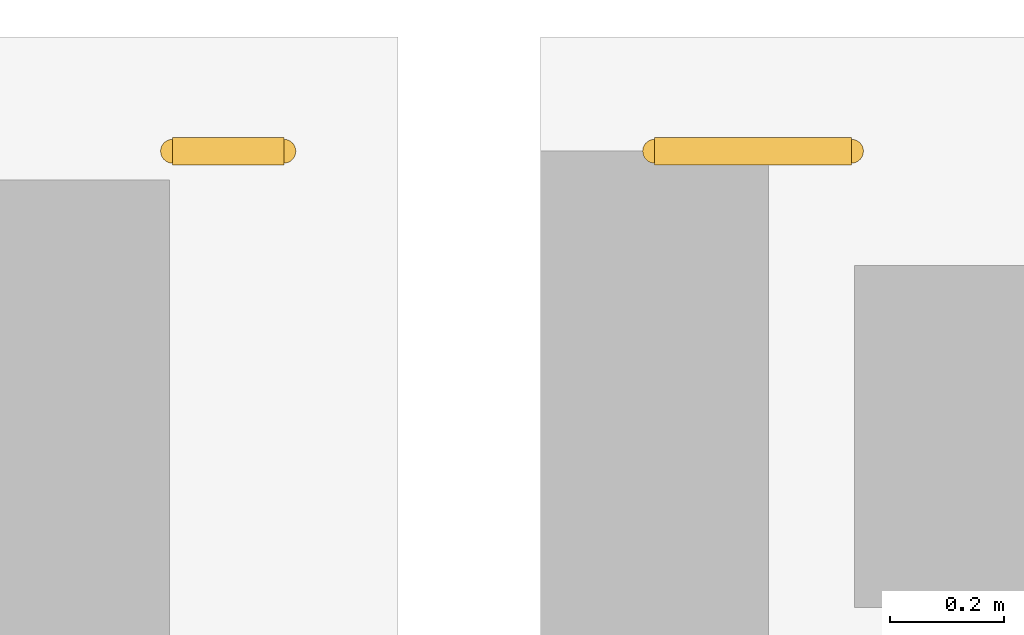
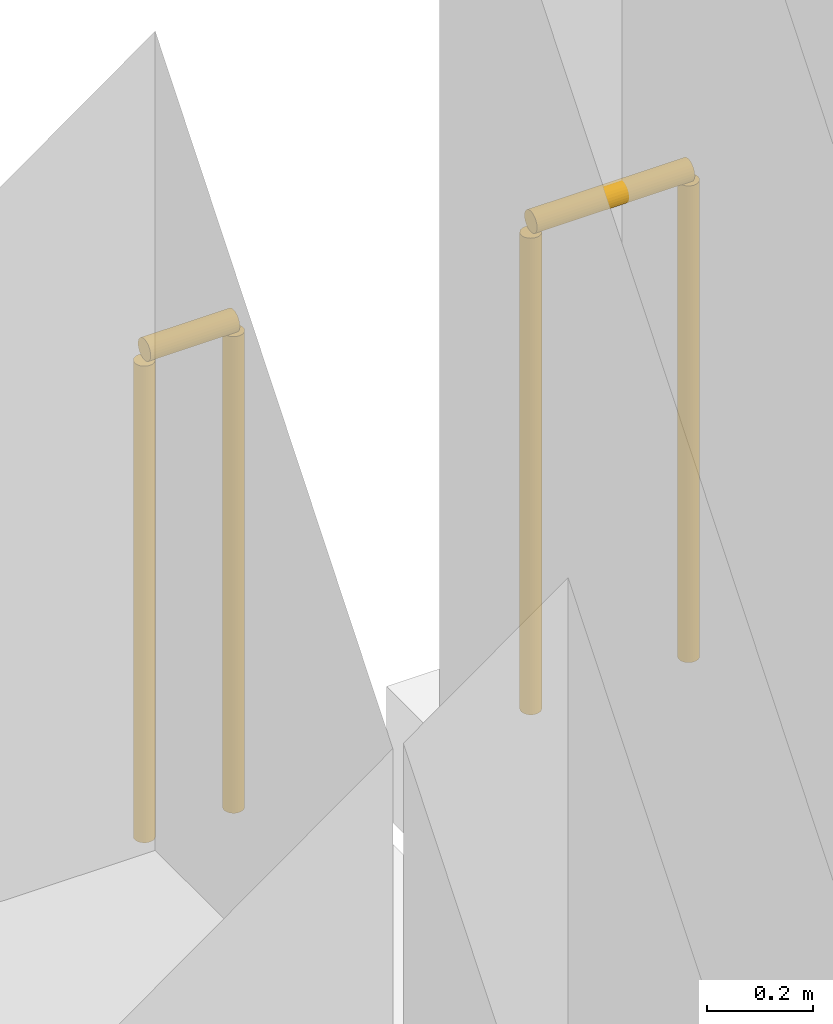
# One storey, part 100 of 100: 2 railings.
"""IFC4 building model written with IfcOpenShell, lengths in metres."""

from ifc_helpers import new_model, si_unit, direction, frame, origin, origin_2d, place, context, subcontext, project, spatial, circle, extrude, material, type_object, element, save


model = new_model("IFC4")

# Units and contexts
model_context = context("Model", 3, precision=1e-05, world=origin(), true_north=direction((0.0, 1.0)))
body_context = subcontext(model_context, "Body", "Model", "MODEL_VIEW")
ifc_project = project(units=[si_unit("LENGTHUNIT", "METRE"), si_unit("AREAUNIT", "SQUARE_METRE"), si_unit("VOLUMEUNIT", "CUBIC_METRE"), si_unit("PLANEANGLEUNIT", "RADIAN"), si_unit("MASSUNIT", "GRAM", prefix="KILO"), si_unit("THERMODYNAMICTEMPERATUREUNIT", "KELVIN"), si_unit("POWERUNIT", "WATT")], contexts=[model_context])

# Site, building, storey
site_placement = place(None, origin())
site = spatial("IfcSite", under=ifc_project, at=site_placement, CompositionType="ELEMENT")
building_placement = place(site_placement, origin())
building = spatial("IfcBuilding", under=site, at=building_placement, Name="Sindhuravela Promenade Stadium", CompositionType="ELEMENT")
storey_placement = place(building_placement, frame((0.0, 0.0, 4.800048828125)))
storey = spatial("IfcBuildingStorey", under=building, at=storey_placement, Name="L01", CompositionType="ELEMENT", Elevation=4.800048828125)

# Railings
ifc_material = material(Name="Architectural wrought steel E350", Category="steel")
railing_type = type_object("IfcRailingType", Name="RL-GRD-1150", PredefinedType="GUARDRAIL", material=ifc_material)
railing_1_placement = place(storey_placement, frame((161.35498046875, 161.800048828125, 0.0)))
element("IfcRailing", 1, at=railing_1_placement, inside=storey, type_object=railing_type, Name="Perimeter edge return guard NORTH L01", PredefinedType="GUARDRAIL", context=body_context, shape_type="SweptSolid", body=[
    extrude(circle(Radius=0.02392578125, at=origin_2d()), frame((0.0, 0.0, 1.1259765625), z_axis=(1.0, 0.0, 0.0), x_axis=(0.0, 1.0, 0.0)), (0.0, 0.0, 1.0), 0.195068359375),
    extrude(circle(Radius=0.02099609375, at=origin_2d()), origin(), (0.0, 0.0, 1.0), 1.101806640625),
    extrude(circle(Radius=0.02099609375, at=origin_2d()), frame((0.195068359375, 0.0, 0.0)), (0.0, 0.0, 1.0), 1.101806640625),
])
railing_2_placement = place(storey_placement, frame((162.199951171875, 161.800048828125, 0.0)))
element("IfcRailing", 2, at=railing_2_placement, inside=storey, type_object=railing_type, Name="Perimeter edge return guard Pavilion NE L01", PredefinedType="GUARDRAIL", context=body_context, shape_type="SweptSolid", body=[
    extrude(circle(Radius=0.02392578125, at=origin_2d()), frame((0.0, 0.0, 1.1259765625), z_axis=(1.0, 0.0, 0.0), x_axis=(0.0, 1.0, 0.0)), (0.0, 0.0, 1.0), 0.344970703125),
    extrude(circle(Radius=0.02099609375, at=origin_2d()), origin(), (0.0, 0.0, 1.0), 1.101806640625),
    extrude(circle(Radius=0.02099609375, at=origin_2d()), frame((0.344970703125, 0.0, 0.0)), (0.0, 0.0, 1.0), 1.101806640625),
])

save(model, "model.ifc")
